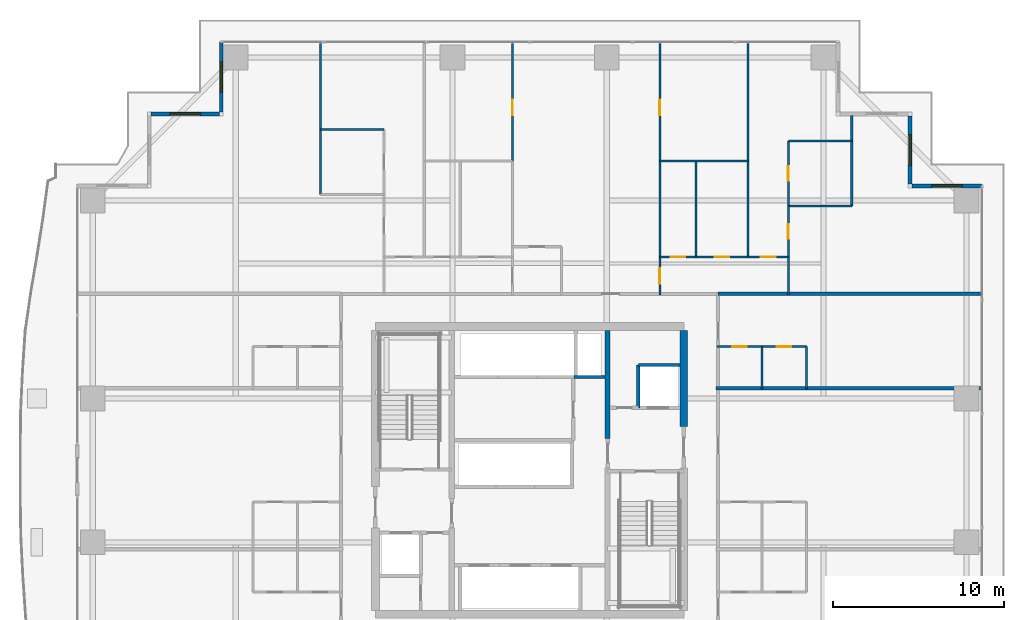
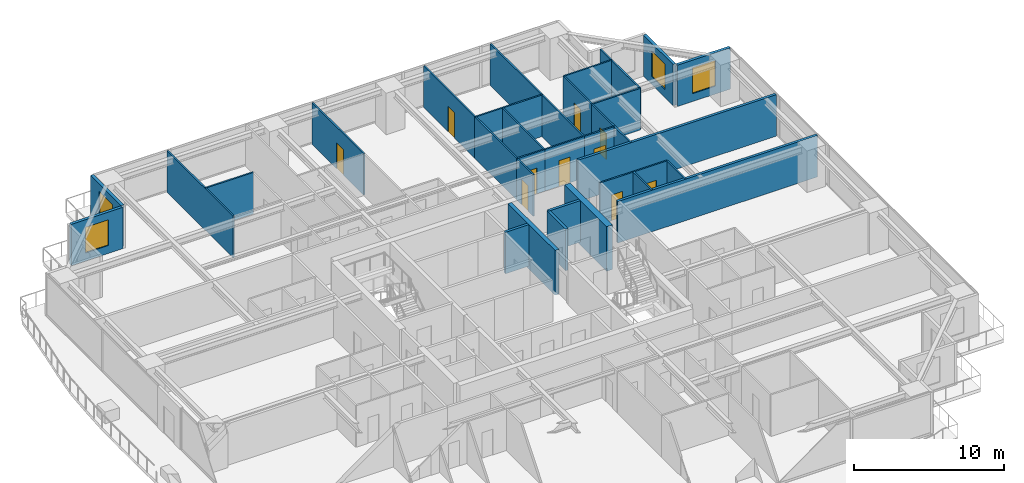
# One storey, part 31 of 40: 33 walls, 10 doors, 4 windows, 14 openings.
"""IFC4 building model written with IfcOpenShell, lengths in metres."""

from ifc_helpers import new_model, si_unit, direction, frame, frame_2d, origin, place, context, subcontext, project, spatial, rectangle, extrude, source, transform, mapped, material, layer, layer_set, type_object, element, fill, save


model = new_model("IFC4")

# Units and contexts
model_context = context("Model", 3, precision=1e-05, world=origin(), true_north=direction((0.0, 1.0)))
body_context = subcontext(model_context, "Body", "Model", "MODEL_VIEW")
ifc_project = project(units=[si_unit("LENGTHUNIT", "METRE"), si_unit("AREAUNIT", "SQUARE_METRE"), si_unit("VOLUMEUNIT", "CUBIC_METRE"), si_unit("PLANEANGLEUNIT", "RADIAN"), si_unit("MASSUNIT", "GRAM", prefix="KILO")], contexts=[model_context])

# Site, building, storey
site_placement = place(None, origin())
site = spatial("IfcSite", under=ifc_project, at=site_placement, CompositionType="ELEMENT")
building_placement = place(site_placement, origin())
building = spatial("IfcBuilding", under=site, at=building_placement, Name="Serunith Strait Residences", CompositionType="ELEMENT")
storey_placement = place(building_placement, frame((0.0, 0.0, 105.449951171875)))
storey = spatial("IfcBuildingStorey", under=building, at=storey_placement, Name="L26", CompositionType="ELEMENT", Elevation=105.449951171875)

# Wall, opening, window
ifc_material_1 = material(Name="Pale-Champagne Aluminium Insulated Panel", Category="aluminium")
ifc_layer_1 = layer(ifc_material_1, 0.219970703125, Name="Pale-Champagne Aluminium Insulated Panel")
ifc_layer_set_1 = layer_set([ifc_layer_1], Name="Pale-Champagne Aluminium Insulated Panel")
wall_type_1 = type_object("IfcWallType", Name="EW-ALUM-220", PredefinedType="ELEMENTEDWALL", material=ifc_layer_set_1)
wall_1_placement = place(storey_placement, frame((58.800048828125, 41.800048828125, 0.0), z_axis=(0.0, 0.0, 1.0), x_axis=(-1.0, 0.0, 0.0)))
wall_1 = element("IfcWall", 1, at=wall_1_placement, inside=storey, type_object=wall_type_1, Name="L26 Girih Serrated Corner Wall 07", PredefinedType="ELEMENTEDWALL", context=body_context, shape_type="SweptSolid", body=[
    extrude(rectangle(XDim=4.090087890625, YDim=0.219970703125, at=frame_2d((2.044921875, 0.0))), origin(), (0.0, 0.0, 1.0), 3.375),
])
opening_1_placement = place(wall_1_placement, frame((1.14501953125, 0.0, 0.64990234375)))
opening_1 = element("IfcOpeningElement", 2, at=opening_1_placement, cuts=wall_1, Name="Opening W-01", PredefinedType="OPENING", context=body_context, shape_type="SweptSolid", body=[
    extrude(rectangle(XDim=1.800048828125, YDim=2.10009765625, at=frame_2d((0.89990234375, 1.050048828125))), frame((0.0, 0.1201171875, 0.0), z_axis=(0.0, -1.0, 0.0), x_axis=(1.0, 0.0, 0.0)), (0.0, 0.0, 1.0), 0.239990234375),
])
ifc_material_2 = material(Name="Ceramic-Fritted Operable Aluminium Window Glass", Category="aluminium")
window_type = type_object("IfcWindowType", Name="WIN-C1", PartitioningType="DOUBLE_PANEL_VERTICAL", PredefinedType="WINDOW", material=ifc_material_2)
shared_shape_1 = source(origin(), body_context, "Body", "SweptSolid", [
    extrude(rectangle(XDim=1.800048828125, YDim=2.10009765625, at=frame_2d((0.89990234375, 1.050048828125))), frame((0.0, 0.030029296875, 0.0), z_axis=(0.0, -1.0, 0.0), x_axis=(1.0, 0.0, 0.0)), (0.0, 0.0, 1.0), 0.06005859375),
])
window_1_placement = place(opening_1_placement, origin())
window_1 = element("IfcWindow", 3, at=window_1_placement, inside=storey, type_object=window_type, Name="L26 Corner Operable Fritted Window 07", OverallHeight=2.10009765625, OverallWidth=1.800048828125, PartitioningType="SINGLE_PANEL", PredefinedType="WINDOW", context=body_context, shape_type="MappedRepresentation", body=[
    mapped(shared_shape_1, transform((0.0, 0.0, 0.0), scale=1.0)),
])
fill(opening_1, window_1)

wall_2_placement = place(storey_placement, frame((54.60009765625, 41.909912109375, 0.0), z_axis=(0.0, 0.0, 1.0), x_axis=(0.0, 1.0, 0.0)))
wall_2 = element("IfcWall", 4, at=wall_2_placement, inside=storey, type_object=wall_type_1, Name="L26 Girih Serrated Corner Wall 08", PredefinedType="ELEMENTEDWALL", context=body_context, shape_type="SweptSolid", body=[
    extrude(rectangle(XDim=3.97998046875, YDim=0.219970703125, at=frame_2d((1.989990234375, 0.0))), origin(), (0.0, 0.0, 1.0), 3.375),
])
opening_2_placement = place(wall_2_placement, frame((1.090087890625, 0.0, 0.64990234375)))
opening_2 = element("IfcOpeningElement", 5, at=opening_2_placement, cuts=wall_2, Name="Opening W-01", PredefinedType="OPENING", context=body_context, shape_type="SweptSolid", body=[
    extrude(rectangle(XDim=1.800048828125, YDim=2.10009765625, at=frame_2d((0.89990234375, 1.050048828125))), frame((0.0, 0.1201171875, 0.0), z_axis=(0.0, -1.0, 0.0), x_axis=(1.0, 0.0, 0.0)), (0.0, 0.0, 1.0), 0.239990234375),
])
window_2_placement = place(opening_2_placement, origin())
window_2 = element("IfcWindow", 6, at=window_2_placement, inside=storey, type_object=window_type, Name="L26 Corner Operable Fritted Window 08", OverallHeight=2.10009765625, OverallWidth=1.800048828125, PartitioningType="SINGLE_PANEL", PredefinedType="WINDOW", context=body_context, shape_type="MappedRepresentation", body=[
    mapped(shared_shape_1, transform((0.0, 0.0, 0.0), scale=1.0)),
])
fill(opening_2, window_2)

wall_3_placement = place(storey_placement, frame((14.39990234375, 50.199951171875, 0.0), z_axis=(0.0, 0.0, 1.0), x_axis=(0.0, -1.0, 0.0)))
wall_3 = element("IfcWall", 7, at=wall_3_placement, inside=storey, type_object=wall_type_1, Name="L26 Girih Serrated Corner Wall 12", PredefinedType="ELEMENTEDWALL", context=body_context, shape_type="SweptSolid", body=[
    extrude(rectangle(XDim=4.08984375, YDim=0.219970703125, at=frame_2d((2.044921875, 0.0))), origin(), (0.0, 0.0, 1.0), 3.375),
])
opening_3_placement = place(wall_3_placement, frame((1.14501953125, 0.0, 0.64990234375)))
opening_3 = element("IfcOpeningElement", 8, at=opening_3_placement, cuts=wall_3, Name="Opening W-01", PredefinedType="OPENING", context=body_context, shape_type="SweptSolid", body=[
    extrude(rectangle(XDim=1.800048828125, YDim=2.10009765625, at=frame_2d((0.89990234375, 1.050048828125))), frame((0.0, 0.1201171875, 0.0), z_axis=(0.0, -1.0, 0.0), x_axis=(1.0, 0.0, 0.0)), (0.0, 0.0, 1.0), 0.239990234375),
])
window_3_placement = place(opening_3_placement, origin())
window_3 = element("IfcWindow", 9, at=window_3_placement, inside=storey, type_object=window_type, Name="L26 Corner Operable Fritted Window 12", OverallHeight=2.10009765625, OverallWidth=1.800048828125, PartitioningType="SINGLE_PANEL", PredefinedType="WINDOW", context=body_context, shape_type="MappedRepresentation", body=[
    mapped(shared_shape_1, transform((0.0, 0.0, 0.0), scale=1.0)),
])
fill(opening_3, window_3)

wall_4_placement = place(storey_placement, frame((14.2900390625, 46.0, 0.0), z_axis=(0.0, 0.0, 1.0), x_axis=(-1.0, 0.0, 0.0)))
wall_4 = element("IfcWall", 10, at=wall_4_placement, inside=storey, type_object=wall_type_1, Name="L26 Girih Serrated Corner Wall 13", PredefinedType="ELEMENTEDWALL", context=body_context, shape_type="SweptSolid", body=[
    extrude(rectangle(XDim=3.97998046875, YDim=0.219970703125, at=frame_2d((1.989990234375, 0.0))), origin(), (0.0, 0.0, 1.0), 3.375),
])
opening_4_placement = place(wall_4_placement, frame((1.090087890625, 0.0, 0.64990234375)))
opening_4 = element("IfcOpeningElement", 11, at=opening_4_placement, cuts=wall_4, Name="Opening W-01", PredefinedType="OPENING", context=body_context, shape_type="SweptSolid", body=[
    extrude(rectangle(XDim=1.800048828125, YDim=2.10009765625, at=frame_2d((0.89990234375, 1.050048828125))), frame((0.0, 0.1201171875, 0.0), z_axis=(0.0, -1.0, 0.0), x_axis=(1.0, 0.0, 0.0)), (0.0, 0.0, 1.0), 0.239990234375),
])
window_4_placement = place(opening_4_placement, origin())
window_4 = element("IfcWindow", 12, at=window_4_placement, inside=storey, type_object=window_type, Name="L26 Corner Operable Fritted Window 13", OverallHeight=2.10009765625, OverallWidth=1.800048828125, PartitioningType="SINGLE_PANEL", PredefinedType="WINDOW", context=body_context, shape_type="MappedRepresentation", body=[
    mapped(shared_shape_1, transform((0.0, 0.0, 0.0), scale=1.0)),
])
fill(opening_4, window_4)

# Wall, opening, door
ifc_material_3 = material(Name="Lightweight steel-stud gypsum partition", Category="steel")
ifc_layer_2 = layer(ifc_material_3, 0.1201171875, Name="Lightweight steel-stud gypsum partition")
ifc_layer_set_2 = layer_set([ifc_layer_2], Name="Lightweight steel-stud gypsum partition")
wall_type_2 = type_object("IfcWallType", Name="IW-PART-120", PredefinedType="PARTITIONING", material=ifc_layer_set_2)
wall_5_placement = place(storey_placement, frame((31.39990234375, 50.10498046875, 0.0), z_axis=(0.0, 0.0, 1.0), x_axis=(0.0, -1.0, 0.0)))
wall_5 = element("IfcWall", 13, at=wall_5_placement, inside=storey, type_object=wall_type_2, Name="L26 Partition Wall 059", PredefinedType="PARTITIONING", context=body_context, shape_type="SweptSolid", body=[
    extrude(rectangle(XDim=6.85107421875, YDim=0.1201171875, at=frame_2d((3.425537109375, 0.0))), origin(), (0.0, 0.0, 1.0), 3.39013671875),
])
opening_5_placement = place(wall_5_placement, frame((3.27294921875, 0.0, 0.0)))
opening_5 = element("IfcOpeningElement", 14, at=opening_5_placement, cuts=wall_5, Name="Opening D-RM900", PredefinedType="OPENING", context=body_context, shape_type="SweptSolid", body=[
    extrude(rectangle(XDim=0.89990234375, YDim=2.10009765625, at=frame_2d((0.449951171875, 1.050048828125))), frame((0.0, 0.070068359375, 0.0), z_axis=(0.0, -1.0, 0.0), x_axis=(1.0, 0.0, 0.0)), (0.0, 0.0, 1.0), 0.14013671875),
])
ifc_material_4 = material(Name="Engineered timber flush bedroom door", Category="wood")
door_type_1 = type_object("IfcDoorType", Name="ID-ROOM-900", OperationType="NOTDEFINED", PredefinedType="DOOR", material=ifc_material_4)
shared_shape_2 = source(origin(), body_context, "Body", "SweptSolid", [
    extrude(rectangle(XDim=0.89990234375, YDim=2.10009765625, at=frame_2d((0.449951171875, 1.050048828125))), frame((0.0, 0.02490234375, 0.0), z_axis=(0.0, -1.0, 0.0), x_axis=(1.0, 0.0, 0.0)), (0.0, 0.0, 1.0), 0.050048828125),
])
door_1_placement = place(opening_5_placement, origin())
door_1 = element("IfcDoor", 15, at=door_1_placement, inside=storey, type_object=door_type_1, Name="L26 Formal Dining Room 1 2602 Door", OperationType="SINGLE_SWING_RIGHT", OverallHeight=2.10009765625, OverallWidth=0.89990234375, PredefinedType="DOOR", context=body_context, shape_type="MappedRepresentation", body=[
    mapped(shared_shape_2, transform((0.0, 0.0, 0.0), scale=1.0)),
])
fill(opening_5, door_1)

# Walls
wall_6_placement = place(storey_placement, frame((20.199951171875, 45.091064453125, 0.0), z_axis=(0.0, 0.0, 1.0), x_axis=(1.0, 0.0, 0.0)))
element("IfcWall", 16, at=wall_6_placement, inside=storey, type_object=wall_type_2, Name="L26 Partition Wall 067", PredefinedType="PARTITIONING", context=body_context, shape_type="SweptSolid", body=[
    extrude(rectangle(XDim=3.699951171875, YDim=0.1201171875, at=frame_2d((1.85009765625, 0.0))), origin(), (0.0, 0.0, 1.0), 3.39013671875),
])
wall_7_placement = place(storey_placement, frame((20.199951171875, 50.10498046875, 0.0), z_axis=(0.0, 0.0, 1.0), x_axis=(0.0, -1.0, 0.0)))
element("IfcWall", 17, at=wall_7_placement, inside=storey, type_object=wall_type_2, Name="L26 Partition Wall 068", PredefinedType="PARTITIONING", context=body_context, shape_type="SweptSolid", body=[
    extrude(rectangle(XDim=8.798095703125, YDim=0.1201171875, at=frame_2d((4.39892578125, 0.0))), origin(), (0.0, 0.0, 1.0), 3.39013671875),
])

# Wall, opening, door
wall_8_placement = place(storey_placement, frame((40.0, 37.64990234375, 0.0), z_axis=(0.0, 0.0, 1.0), x_axis=(0.0, -1.0, 0.0)))
wall_8 = element("IfcWall", 18, at=wall_8_placement, inside=storey, type_object=wall_type_2, Name="L26 Partition Wall 073", PredefinedType="PARTITIONING", context=body_context, shape_type="SweptSolid", body=[
    extrude(rectangle(XDim=2.2099609375, YDim=0.1201171875, at=frame_2d((1.10498046875, 0.0))), origin(), (0.0, 0.0, 1.0), 3.39013671875),
])
opening_6_placement = place(wall_8_placement, frame((0.655029296875, 0.0, 0.0)))
opening_6 = element("IfcOpeningElement", 19, at=opening_6_placement, cuts=wall_8, Name="Opening D-RM900", PredefinedType="OPENING", context=body_context, shape_type="SweptSolid", body=[
    extrude(rectangle(XDim=0.89990234375, YDim=2.10009765625, at=frame_2d((0.449951171875, 1.050048828125))), frame((0.0, 0.070068359375, 0.0), z_axis=(0.0, -1.0, 0.0), x_axis=(1.0, 0.0, 0.0)), (0.0, 0.0, 1.0), 0.14013671875),
])
door_2_placement = place(opening_6_placement, origin())
door_2 = element("IfcDoor", 20, at=door_2_placement, inside=storey, type_object=door_type_1, Name="L26 Hall E 2602 Door", OperationType="SINGLE_SWING_RIGHT", OverallHeight=2.10009765625, OverallWidth=0.89990234375, PredefinedType="DOOR", context=body_context, shape_type="MappedRepresentation", body=[
    mapped(shared_shape_2, transform((0.0, 0.0, 0.0), scale=1.0)),
])
fill(opening_6, door_2)

wall_9_placement = place(storey_placement, frame((40.0, 50.10498046875, 0.0), z_axis=(0.0, 0.0, 1.0), x_axis=(0.0, -1.0, 0.0)))
wall_9 = element("IfcWall", 21, at=wall_9_placement, inside=storey, type_object=wall_type_2, Name="L26 Partition Wall 074", PredefinedType="PARTITIONING", context=body_context, shape_type="SweptSolid", body=[
    extrude(rectangle(XDim=6.85107421875, YDim=0.1201171875, at=frame_2d((3.425537109375, 0.0))), origin(), (0.0, 0.0, 1.0), 3.39013671875),
])
opening_7_placement = place(wall_9_placement, frame((3.27294921875, 0.0, 0.0)))
opening_7 = element("IfcOpeningElement", 22, at=opening_7_placement, cuts=wall_9, Name="Opening D-RM900", PredefinedType="OPENING", context=body_context, shape_type="SweptSolid", body=[
    extrude(rectangle(XDim=0.89990234375, YDim=2.10009765625, at=frame_2d((0.449951171875, 1.050048828125))), frame((0.0, 0.070068359375, 0.0), z_axis=(0.0, -1.0, 0.0), x_axis=(1.0, 0.0, 0.0)), (0.0, 0.0, 1.0), 0.14013671875),
])
door_3_placement = place(opening_7_placement, origin())
door_3 = element("IfcDoor", 23, at=door_3_placement, inside=storey, type_object=door_type_1, Name="L26 Formal Dining Room 3 2602 Door", OperationType="SINGLE_SWING_LEFT", OverallHeight=2.10009765625, OverallWidth=0.89990234375, PredefinedType="DOOR", context=body_context, shape_type="MappedRepresentation", body=[
    mapped(shared_shape_2, transform((0.0, 0.0, 0.0), scale=1.0)),
])
fill(opening_7, door_3)

# Walls
wall_10_placement = place(storey_placement, frame((40.0, 43.251953125, 0.0), z_axis=(0.0, 0.0, 1.0), x_axis=(0.0, -1.0, 0.0)))
element("IfcWall", 24, at=wall_10_placement, inside=storey, type_object=wall_type_2, Name="L26 Partition Wall 075", PredefinedType="PARTITIONING", context=body_context, shape_type="SweptSolid", body=[
    extrude(rectangle(XDim=5.599853515625, YDim=0.1201171875, at=frame_2d((2.7998046875, 0.0))), origin(), (0.0, 0.0, 1.0), 3.39013671875),
])
wall_11_placement = place(storey_placement, frame((40.0, 43.25390625, 0.0), z_axis=(0.0, 0.0, 1.0), x_axis=(1.0, 0.0, 0.0)))
element("IfcWall", 25, at=wall_11_placement, inside=storey, type_object=wall_type_2, Name="L26 Partition Wall 076", PredefinedType="PARTITIONING", context=body_context, shape_type="SweptSolid", body=[
    extrude(rectangle(XDim=5.14990234375, YDim=0.1201171875, at=frame_2d((2.574951171875, 0.0))), origin(), (0.0, 0.0, 1.0), 3.39013671875),
])
wall_12_placement = place(storey_placement, frame((45.14990234375, 50.10498046875, 0.0), z_axis=(0.0, 0.0, 1.0), x_axis=(0.0, -1.0, 0.0)))
element("IfcWall", 26, at=wall_12_placement, inside=storey, type_object=wall_type_2, Name="L26 Partition Wall 077", PredefinedType="PARTITIONING", context=body_context, shape_type="SweptSolid", body=[
    extrude(rectangle(XDim=12.455078125, YDim=0.1201171875, at=frame_2d((6.2275390625, 0.0))), origin(), (0.0, 0.0, 1.0), 3.39013671875),
])
wall_13_placement = place(storey_placement, frame((42.10009765625, 43.25390625, 0.0), z_axis=(0.0, 0.0, 1.0), x_axis=(0.0, -1.0, 0.0)))
element("IfcWall", 27, at=wall_13_placement, inside=storey, type_object=wall_type_2, Name="L26 Partition Wall 078", PredefinedType="PARTITIONING", context=body_context, shape_type="SweptSolid", body=[
    extrude(rectangle(XDim=5.60400390625, YDim=0.1201171875, at=frame_2d((2.802001953125, 0.0))), origin(), (0.0, 0.0, 1.0), 3.39013671875),
])

# Wall, opening, door
wall_14_placement = place(storey_placement, frame((40.0, 37.64990234375, 0.0), z_axis=(0.0, 0.0, 1.0), x_axis=(1.0, 0.0, 0.0)))
wall_14 = element("IfcWall", 28, at=wall_14_placement, inside=storey, type_object=wall_type_2, Name="L26 Partition Wall 079", PredefinedType="PARTITIONING", context=body_context, shape_type="SweptSolid", body=[
    extrude(rectangle(XDim=2.10009765625, YDim=0.1201171875, at=frame_2d((1.050048828125, 0.0))), origin(), (0.0, 0.0, 1.0), 3.39013671875),
])
opening_8_placement = place(wall_14_placement, frame((0.625, 0.0, 0.0)))
opening_8 = element("IfcOpeningElement", 29, at=opening_8_placement, cuts=wall_14, Name="Opening D-RM850", PredefinedType="OPENING", context=body_context, shape_type="SweptSolid", body=[
    extrude(rectangle(XDim=0.85009765625, YDim=2.10009765625, at=frame_2d((0.425048828125, 1.050048828125))), frame((0.0, 0.070068359375, 0.0), z_axis=(0.0, -1.0, 0.0), x_axis=(1.0, 0.0, 0.0)), (0.0, 0.0, 1.0), 0.14013671875),
])
ifc_material_5 = material(Name="Engineered timber flush study and kitchen door", Category="wood")
door_type_2 = type_object("IfcDoorType", Name="ID-ROOM-850", OperationType="NOTDEFINED", PredefinedType="DOOR", material=ifc_material_5)
shared_shape_3 = source(origin(), body_context, "Body", "SweptSolid", [
    extrude(rectangle(XDim=0.85009765625, YDim=2.10009765625, at=frame_2d((0.425048828125, 1.050048828125))), frame((0.0, 0.02490234375, 0.0), z_axis=(0.0, -1.0, 0.0), x_axis=(1.0, 0.0, 0.0)), (0.0, 0.0, 1.0), 0.050048828125),
])
door_4_placement = place(opening_8_placement, origin())
door_4 = element("IfcDoor", 30, at=door_4_placement, inside=storey, type_object=door_type_2, Name="L26 Study 2602 Door", OperationType="SINGLE_SWING_RIGHT", OverallHeight=2.10009765625, OverallWidth=0.85009765625, PredefinedType="DOOR", context=body_context, shape_type="MappedRepresentation", body=[
    mapped(shared_shape_3, transform((0.0, 0.0, 0.0), scale=1.0)),
])
fill(opening_8, door_4)

wall_15_placement = place(storey_placement, frame((42.10205078125, 37.64990234375, 0.0), z_axis=(0.0, 0.0, 1.0), x_axis=(1.0, 0.0, 0.0)))
wall_15 = element("IfcWall", 31, at=wall_15_placement, inside=storey, type_object=wall_type_2, Name="L26 Partition Wall 080", PredefinedType="PARTITIONING", context=body_context, shape_type="SweptSolid", body=[
    extrude(rectangle(XDim=3.0478515625, YDim=0.1201171875, at=frame_2d((1.52392578125, 0.0))), origin(), (0.0, 0.0, 1.0), 3.39013671875),
])
opening_9_placement = place(wall_15_placement, frame((1.09912109375, 0.0, 0.0)))
opening_9 = element("IfcOpeningElement", 32, at=opening_9_placement, cuts=wall_15, Name="Opening D-RM850", PredefinedType="OPENING", context=body_context, shape_type="SweptSolid", body=[
    extrude(rectangle(XDim=0.85009765625, YDim=2.10009765625, at=frame_2d((0.425048828125, 1.050048828125))), frame((0.0, 0.070068359375, 0.0), z_axis=(0.0, -1.0, 0.0), x_axis=(1.0, 0.0, 0.0)), (0.0, 0.0, 1.0), 0.14013671875),
])
door_5_placement = place(opening_9_placement, origin())
door_5 = element("IfcDoor", 33, at=door_5_placement, inside=storey, type_object=door_type_2, Name="L26 Formal Dining Room 2602 Door", OperationType="SINGLE_SWING_LEFT", OverallHeight=2.10009765625, OverallWidth=0.85009765625, PredefinedType="DOOR", context=body_context, shape_type="MappedRepresentation", body=[
    mapped(shared_shape_3, transform((0.0, 0.0, 0.0), scale=1.0)),
])
fill(opening_9, door_5)

wall_16_placement = place(storey_placement, frame((45.152099609375, 37.64990234375, 0.0), z_axis=(0.0, 0.0, 1.0), x_axis=(1.0, 0.0, 0.0)))
wall_16 = element("IfcWall", 34, at=wall_16_placement, inside=storey, type_object=wall_type_2, Name="L26 Partition Wall 081", PredefinedType="PARTITIONING", context=body_context, shape_type="SweptSolid", body=[
    extrude(rectangle(XDim=2.347900390625, YDim=0.1201171875, at=frame_2d((1.173828125, 0.0))), origin(), (0.0, 0.0, 1.0), 3.39013671875),
])
opening_10_placement = place(wall_16_placement, frame((0.72412109375, 0.0, 0.0)))
opening_10 = element("IfcOpeningElement", 35, at=opening_10_placement, cuts=wall_16, Name="Opening D-RM900", PredefinedType="OPENING", context=body_context, shape_type="SweptSolid", body=[
    extrude(rectangle(XDim=0.89990234375, YDim=2.10009765625, at=frame_2d((0.449951171875, 1.050048828125))), frame((0.0, 0.070068359375, 0.0), z_axis=(0.0, -1.0, 0.0), x_axis=(1.0, 0.0, 0.0)), (0.0, 0.0, 1.0), 0.14013671875),
])
door_6_placement = place(opening_10_placement, origin())
door_6 = element("IfcDoor", 36, at=door_6_placement, inside=storey, type_object=door_type_1, Name="L26 Master Bedroom E 2602 Door", OperationType="SINGLE_SWING_RIGHT", OverallHeight=2.10009765625, OverallWidth=0.89990234375, PredefinedType="DOOR", context=body_context, shape_type="MappedRepresentation", body=[
    mapped(shared_shape_2, transform((0.0, 0.0, 0.0), scale=1.0)),
])
fill(opening_10, door_6)

# Walls
wall_17_placement = place(storey_placement, frame((47.5, 44.422119140625, 0.0), z_axis=(0.0, 0.0, 1.0), x_axis=(1.0, 0.0, 0.0)))
element("IfcWall", 37, at=wall_17_placement, inside=storey, type_object=wall_type_2, Name="L26 Partition Wall 082", PredefinedType="PARTITIONING", context=body_context, shape_type="SweptSolid", body=[
    extrude(rectangle(XDim=3.699951171875, YDim=0.1201171875, at=frame_2d((1.85009765625, 0.0))), origin(), (0.0, 0.0, 1.0), 3.39013671875),
])
wall_18_placement = place(storey_placement, frame((51.199951171875, 45.905029296875, 0.0), z_axis=(0.0, 0.0, 1.0), x_axis=(0.0, -1.0, 0.0)))
element("IfcWall", 38, at=wall_18_placement, inside=storey, type_object=wall_type_2, Name="L26 Partition Wall 083", PredefinedType="PARTITIONING", context=body_context, shape_type="SweptSolid", body=[
    extrude(rectangle(XDim=5.26708984375, YDim=0.1201171875, at=frame_2d((2.633544921875, 0.0))), origin(), (0.0, 0.0, 1.0), 3.39013671875),
])
wall_19_placement = place(storey_placement, frame((47.5, 40.637939453125, 0.0), z_axis=(0.0, 0.0, 1.0), x_axis=(1.0, 0.0, 0.0)))
element("IfcWall", 39, at=wall_19_placement, inside=storey, type_object=wall_type_2, Name="L26 Partition Wall 084", PredefinedType="PARTITIONING", context=body_context, shape_type="SweptSolid", body=[
    extrude(rectangle(XDim=3.699951171875, YDim=0.1201171875, at=frame_2d((1.85009765625, 0.0))), origin(), (0.0, 0.0, 1.0), 3.39013671875),
])

# Wall, opening, door
wall_20_placement = place(storey_placement, frame((47.5, 44.422119140625, 0.0), z_axis=(0.0, 0.0, 1.0), x_axis=(0.0, -1.0, 0.0)))
wall_20 = element("IfcWall", 40, at=wall_20_placement, inside=storey, type_object=wall_type_2, Name="L26 Partition Wall 085", PredefinedType="PARTITIONING", context=body_context, shape_type="SweptSolid", body=[
    extrude(rectangle(XDim=3.7841796875, YDim=0.1201171875, at=frame_2d((1.89208984375, 0.0))), origin(), (0.0, 0.0, 1.0), 3.39013671875),
])
opening_11_placement = place(wall_20_placement, frame((1.467041015625, 0.0, 0.0)))
opening_11 = element("IfcOpeningElement", 41, at=opening_11_placement, cuts=wall_20, Name="Opening D-BTH850", PredefinedType="OPENING", context=body_context, shape_type="SweptSolid", body=[
    extrude(rectangle(XDim=0.85009765625, YDim=2.10009765625, at=frame_2d((0.425048828125, 1.050048828125))), frame((0.0, 0.070068359375, 0.0), z_axis=(0.0, -1.0, 0.0), x_axis=(1.0, 0.0, 0.0)), (0.0, 0.0, 1.0), 0.14013671875),
])
ifc_material_6 = material(Name="Moisture-resistant timber bathroom door", Category="wood")
door_type_3 = type_object("IfcDoorType", Name="ID-BATH-850", OperationType="NOTDEFINED", PredefinedType="DOOR", material=ifc_material_6)
door_7_placement = place(opening_11_placement, origin())
door_7 = element("IfcDoor", 42, at=door_7_placement, inside=storey, type_object=door_type_3, Name="L26 En-suite Bathroom E 2602 Door", OperationType="SINGLE_SWING_LEFT", OverallHeight=2.10009765625, OverallWidth=0.85009765625, PredefinedType="DOOR", context=body_context, shape_type="MappedRepresentation", body=[
    mapped(shared_shape_3, transform((0.0, 0.0, 0.0), scale=1.0)),
])
fill(opening_11, door_7)

wall_21_placement = place(storey_placement, frame((47.5, 40.635986328125, 0.0), z_axis=(0.0, 0.0, 1.0), x_axis=(0.0, -1.0, 0.0)))
wall_21 = element("IfcWall", 43, at=wall_21_placement, inside=storey, type_object=wall_type_2, Name="L26 Partition Wall 086", PredefinedType="PARTITIONING", context=body_context, shape_type="SweptSolid", body=[
    extrude(rectangle(XDim=2.986083984375, YDim=0.1201171875, at=frame_2d((1.4931640625, 0.0))), origin(), (0.0, 0.0, 1.0), 3.39013671875),
])
opening_12_placement = place(wall_21_placement, frame((1.068115234375, 0.0, 0.0)))
opening_12 = element("IfcOpeningElement", 44, at=opening_12_placement, cuts=wall_21, Name="Opening D-RM850", PredefinedType="OPENING", context=body_context, shape_type="SweptSolid", body=[
    extrude(rectangle(XDim=0.85009765625, YDim=2.10009765625, at=frame_2d((0.425048828125, 1.050048828125))), frame((0.0, 0.070068359375, 0.0), z_axis=(0.0, -1.0, 0.0), x_axis=(1.0, 0.0, 0.0)), (0.0, 0.0, 1.0), 0.14013671875),
])
door_8_placement = place(opening_12_placement, origin())
door_8 = element("IfcDoor", 45, at=door_8_placement, inside=storey, type_object=door_type_2, Name="L26 Wardrobe E 2602 Door", OperationType="SINGLE_SWING_RIGHT", OverallHeight=2.10009765625, OverallWidth=0.85009765625, PredefinedType="DOOR", context=body_context, shape_type="MappedRepresentation", body=[
    mapped(shared_shape_3, transform((0.0, 0.0, 0.0), scale=1.0)),
])
fill(opening_12, door_8)

# Wall
wall_22_placement = place(storey_placement, frame((47.5, 37.64794921875, 0.0), z_axis=(0.0, 0.0, 1.0), x_axis=(0.0, -1.0, 0.0)))
element("IfcWall", 46, at=wall_22_placement, inside=storey, type_object=wall_type_2, Name="L26 Partition Wall 087", PredefinedType="PARTITIONING", context=body_context, shape_type="SweptSolid", body=[
    extrude(rectangle(XDim=2.2080078125, YDim=0.1201171875, at=frame_2d((1.10400390625, 0.0))), origin(), (0.0, 0.0, 1.0), 3.39013671875),
])

# Wall, opening, door
wall_23_placement = place(storey_placement, frame((48.550048828125, 32.419921875, 0.0), z_axis=(0.0, 0.0, 1.0), x_axis=(-1.0, 0.0, 0.0)))
wall_23 = element("IfcWall", 47, at=wall_23_placement, inside=storey, type_object=wall_type_2, Name="L26 Partition Wall 108", PredefinedType="PARTITIONING", context=body_context, shape_type="SweptSolid", body=[
    extrude(rectangle(XDim=2.60009765625, YDim=0.1201171875, at=frame_2d((1.300048828125, 0.0))), origin(), (0.0, 0.0, 1.0), 3.39013671875),
])
opening_13_placement = place(wall_23_placement, frame((0.875, 0.0, 0.0)))
opening_13 = element("IfcOpeningElement", 48, at=opening_13_placement, cuts=wall_23, Name="Opening D-RM850", PredefinedType="OPENING", context=body_context, shape_type="SweptSolid", body=[
    extrude(rectangle(XDim=0.85009765625, YDim=2.10009765625, at=frame_2d((0.425048828125, 1.050048828125))), frame((0.0, 0.070068359375, 0.0), z_axis=(0.0, -1.0, 0.0), x_axis=(1.0, 0.0, 0.0)), (0.0, 0.0, 1.0), 0.14013671875),
])
door_9_placement = place(opening_13_placement, origin())
door_9 = element("IfcDoor", 49, at=door_9_placement, inside=storey, type_object=door_type_2, Name="L26 Kitchen 2608 Door", OperationType="SINGLE_SWING_LEFT", OverallHeight=2.10009765625, OverallWidth=0.85009765625, PredefinedType="DOOR", context=body_context, shape_type="MappedRepresentation", body=[
    mapped(shared_shape_3, transform((0.0, 0.0, 0.0), scale=1.0)),
])
fill(opening_13, door_9)

wall_24_placement = place(storey_placement, frame((45.947998046875, 32.419921875, 0.0), z_axis=(0.0, 0.0, 1.0), x_axis=(-1.0, 0.0, 0.0)))
wall_24 = element("IfcWall", 50, at=wall_24_placement, inside=storey, type_object=wall_type_2, Name="L26 Partition Wall 109", PredefinedType="PARTITIONING", context=body_context, shape_type="SweptSolid", body=[
    extrude(rectangle(XDim=2.60791015625, YDim=0.1201171875, at=frame_2d((1.303955078125, 0.0))), origin(), (0.0, 0.0, 1.0), 3.39013671875),
])
opening_14_placement = place(wall_24_placement, frame((0.87890625, 0.0, 0.0)))
opening_14 = element("IfcOpeningElement", 51, at=opening_14_placement, cuts=wall_24, Name="Opening D-BTH850", PredefinedType="OPENING", context=body_context, shape_type="SweptSolid", body=[
    extrude(rectangle(XDim=0.85009765625, YDim=2.10009765625, at=frame_2d((0.425048828125, 1.050048828125))), frame((0.0, 0.070068359375, 0.0), z_axis=(0.0, -1.0, 0.0), x_axis=(1.0, 0.0, 0.0)), (0.0, 0.0, 1.0), 0.14013671875),
])
door_10_placement = place(opening_14_placement, origin())
door_10 = element("IfcDoor", 52, at=door_10_placement, inside=storey, type_object=door_type_3, Name="L26 Bathroom 2608 Door", OperationType="SINGLE_SWING_RIGHT", OverallHeight=2.10009765625, OverallWidth=0.85009765625, PredefinedType="DOOR", context=body_context, shape_type="MappedRepresentation", body=[
    mapped(shared_shape_3, transform((0.0, 0.0, 0.0), scale=1.0)),
])
fill(opening_14, door_10)

# Walls
for number, where, z_axis, x_axis, name in (
    (53, (45.949951171875, 29.93994140625, 0.0), (0.0, 0.0, 1.0), (0.0, 1.0, 0.0), "L26 Partition Wall 110"),
    (54, (48.550048828125, 29.93994140625, 0.0), (0.0, 0.0, 1.0), (0.0, 1.0, 0.0), "L26 Partition Wall 111"),
):
    element("IfcWall", number, at=place(storey_placement, frame(where, z_axis=z_axis, x_axis=x_axis)), inside=storey, type_object=wall_type_2, Name=name, PredefinedType="PARTITIONING", context=body_context, shape_type="SweptSolid", body=[
        extrude(rectangle(XDim=2.47998046875, YDim=0.1201171875, at=frame_2d((1.239990234375, 0.0))), origin(), (0.0, 0.0, 1.0), 3.39013671875),
    ])
ifc_material_7 = material(Name="Twin-stud acoustic gypsum board partition")
ifc_layer_3 = layer(ifc_material_7, 0.199951171875, Name="Twin-stud acoustic gypsum board partition")
ifc_layer_set_3 = layer_set([ifc_layer_3], Name="Twin-stud acoustic gypsum board partition")
wall_type_3 = type_object("IfcWallType", Name="IW-PARTY-200", PredefinedType="PARTITIONING", material=ifc_layer_set_3)
wall_25_placement = place(storey_placement, frame((43.280029296875, 30.0, 0.0), z_axis=(0.0, 0.0, 1.0), x_axis=(1.0, 0.0, 0.0)))
element("IfcWall", 55, at=wall_25_placement, inside=storey, type_object=wall_type_3, Name="L26 Partition Wall 017", PredefinedType="PARTITIONING", context=body_context, shape_type="SweptSolid", body=[
    extrude(rectangle(XDim=15.43798828125, YDim=0.199951171875, at=frame_2d((7.718994140625, 0.0))), origin(), (0.0, 0.0, 1.0), 3.39013671875),
])
wall_26_placement = place(storey_placement, frame((43.39990234375, 35.5, 0.0), z_axis=(0.0, 0.0, 1.0), x_axis=(1.0, 0.0, 0.0)))
element("IfcWall", 56, at=wall_26_placement, inside=storey, type_object=wall_type_3, Name="L26 Partition Wall 021", PredefinedType="PARTITIONING", context=body_context, shape_type="SweptSolid", body=[
    extrude(rectangle(XDim=15.318115234375, YDim=0.199951171875, at=frame_2d((7.6591796875, 0.0))), origin(), (0.0, 0.0, 1.0), 3.39013671875),
])
ifc_material_8 = material(Name="Autoclaved aerated concrete blockwork", Category="masonry")
ifc_layer_4 = layer(ifc_material_8, 0.199951171875, Name="Autoclaved aerated concrete blockwork")
ifc_layer_set_4 = layer_set([ifc_layer_4], Name="Autoclaved aerated concrete blockwork")
wall_type_4 = type_object("IfcWallType", Name="IW-SHAFT-200", PredefinedType="STANDARD", material=ifc_layer_set_4)
wall_27_placement = place(storey_placement, frame((35.0, 30.64990234375, 0.0), z_axis=(0.0, 0.0, 1.0), x_axis=(1.0, 0.0, 0.0)))
element("IfcWall", 57, at=wall_27_placement, inside=storey, type_object=wall_type_4, Name="L26 SL-1 South Shaft Wall", PredefinedType="STANDARD", context=body_context, shape_type="SweptSolid", body=[
    extrude(rectangle(XDim=1.800048828125, YDim=0.199951171875, at=frame_2d((0.89990234375, 0.0))), origin(), (0.0, 0.0, 1.0), 3.39013671875),
])
wall_28_placement = place(storey_placement, frame((38.75, 28.85009765625, 0.0), z_axis=(0.0, 0.0, 1.0), x_axis=(0.0, 1.0, 0.0)))
element("IfcWall", 58, at=wall_28_placement, inside=storey, type_object=wall_type_4, Name="L26 Partition Wall 004", PredefinedType="STANDARD", context=body_context, shape_type="SweptSolid", body=[
    extrude(rectangle(XDim=2.5, YDim=0.199951171875, at=frame_2d((1.25, 0.0))), origin(), (0.0, 0.0, 1.0), 3.39013671875),
])
wall_29_placement = place(storey_placement, frame((38.75, 31.35009765625, 0.0), z_axis=(0.0, 0.0, 1.0), x_axis=(1.0, 0.0, 0.0)))
element("IfcWall", 59, at=wall_29_placement, inside=storey, type_object=wall_type_4, Name="L26 Partition Wall 005", PredefinedType="STANDARD", context=body_context, shape_type="SweptSolid", body=[
    extrude(rectangle(XDim=2.425048828125, YDim=0.199951171875, at=frame_2d((1.21240234375, 0.0))), origin(), (0.0, 0.0, 1.0), 3.39013671875),
])
ifc_material_9 = material(Name="Concrete C80/95", Category="concrete")
ifc_layer_5 = layer(ifc_material_9, 0.300048828125, Name="Concrete C80/95")
ifc_layer_set_5 = layer_set([ifc_layer_5], Name="Concrete C80/95")
wall_type_5 = type_object("IfcWallType", Name="SW-300-C80", PredefinedType="SHEAR", material=ifc_layer_set_5)
wall_30_placement = place(storey_placement, frame((36.949951171875, 27.050048828125, -0.260009765625), z_axis=(0.0, 0.0, 1.0), x_axis=(0.0, 1.0, 0.0)))
element("IfcWall", 60, at=wall_30_placement, inside=storey, type_object=wall_type_5, Name="L26 Core Internal East Web North Pier", PredefinedType="SHEAR", context=body_context, shape_type="SweptSolid", body=[
    extrude(rectangle(XDim=6.324951171875, YDim=0.300048828125, at=frame_2d((3.16259765625, 0.0))), origin(), (0.0, 0.0, 1.0), 3.64794921875),
])
ifc_layer_6 = layer(ifc_material_9, 0.449951171875, Name="Concrete C80/95")
ifc_layer_set_6 = layer_set([ifc_layer_6], Name="Concrete C80/95")
wall_type_6 = type_object("IfcWallType", Name="SW-450-C80", PredefinedType="SHEAR", material=ifc_layer_set_6)
wall_31_placement = place(storey_placement, frame((41.39990234375, 27.75, -0.260009765625), z_axis=(0.0, 0.0, 1.0), x_axis=(0.0, 1.0, 0.0)))
element("IfcWall", 61, at=wall_31_placement, inside=storey, type_object=wall_type_6, Name="L26 Core East Shear Wall North Pier", PredefinedType="SHEAR", context=body_context, shape_type="SweptSolid", body=[
    extrude(rectangle(XDim=5.625, YDim=0.449951171875, at=frame_2d((2.8125, 0.0))), origin(), (0.0, 0.0, 1.0), 3.64794921875),
])

save(model, "model.ifc")
